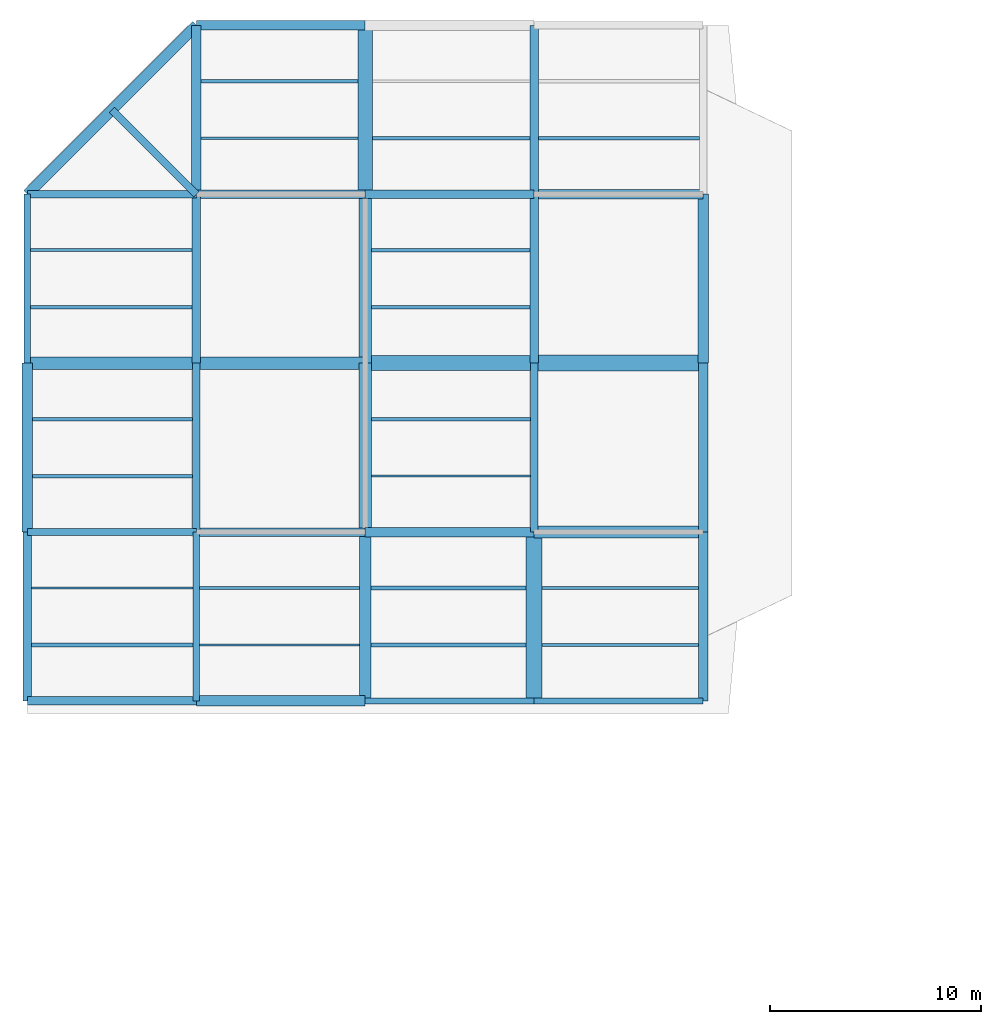
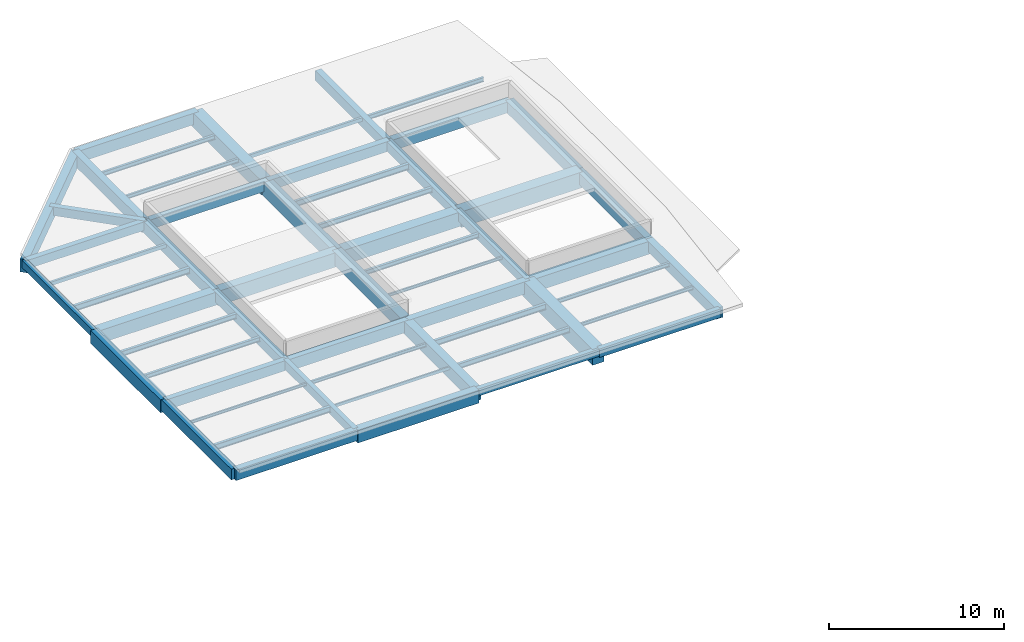
# One storey, part 10 of 20: 57 beams.
"""IFC4 building model written with IfcOpenShell, lengths in metres."""

import ifcopenshell
import ifcopenshell.guid

model = None  # the IFC model being written
_history = None  # IfcOwnerHistory: only IFC2X3 demands one
_inside = {}  # id of a spatial element -> (the spatial element, [elements in it])
_under = {}  # id of a project, library or spatial element -> (it, [spatial elements below it])
_declared = {}  # id of a project -> (the project, [libraries it declares])
_typed = {}  # id of a type object -> (the type object, [elements of that type])
_made_of = {}  # id of a material, layer set ... -> (it, [elements and type objects made of it])


def new_model(schema):
    """Start an empty IFC model of exactly this schema.

    Asked for "IFC4X3", IfcOpenShell would pick the latest addendum, in which some entities
    have other attributes; the version numbers below select the first issue.
    IFC2X3 requires an IfcOwnerHistory on every rooted entity: one is made here for all.
    """
    global model, _history
    if schema == "IFC4X3":
        model = ifcopenshell.file(schema_version=(4, 3, 0, 0))
    else:
        model = ifcopenshell.file(schema=schema)
    _inside.clear()
    _under.clear()
    _declared.clear()
    _typed.clear()
    _made_of.clear()
    _history = None
    if model.schema == "IFC2X3":
        org = make("IfcOrganization", Name="unknown")
        user = make(
            "IfcPersonAndOrganization",
            ThePerson=make("IfcPerson", FamilyName="unknown"),
            TheOrganization=org,
        )
        app = make(
            "IfcApplication",
            ApplicationDeveloper=org,
            Version="unknown",
            ApplicationFullName="unknown",
            ApplicationIdentifier="unknown",
        )
        _history = make(
            "IfcOwnerHistory",
            OwningUser=user,
            OwningApplication=app,
            ChangeAction="ADDED",
            CreationDate=0,
        )
    return model


def make(cls, **values):
    """One entity of the class cls with the attributes given. An attribute that is None is left unset."""
    return model.create_entity(
        cls, **{name: value for name, value in values.items() if value is not None}
    )


def rooted(cls, **values):
    """An entity with a GlobalId (a new one), such as an element, a storey or a relation."""
    return make(cls, GlobalId=ifcopenshell.guid.new(), OwnerHistory=_history, **values)


def si_unit(unit_type, name, prefix=None):
    """IfcSIUnit, for example si_unit("LENGTHUNIT", "METRE", prefix="MILLI")."""
    return make("IfcSIUnit", UnitType=unit_type, Prefix=prefix, Name=name)


def assignment(units):
    """IfcUnitAssignment: the units of a project."""
    return None if units is None else make("IfcUnitAssignment", Units=units)


def point(xyz):
    """IfcCartesianPoint."""
    return None if xyz is None else make("IfcCartesianPoint", Coordinates=xyz)


def direction(xyz):
    """IfcDirection."""
    return None if xyz is None else make("IfcDirection", DirectionRatios=xyz)


def frame(location, z_axis=None, x_axis=None):
    """IfcAxis2Placement3D, a coordinate frame: its origin and axes. An axis left out is left unset."""
    return make(
        "IfcAxis2Placement3D",
        Location=point(location),
        Axis=direction(z_axis),
        RefDirection=direction(x_axis),
    )


def frame_2d(location, x_axis=None):
    """IfcAxis2Placement2D, a coordinate frame in the plane: its origin and x axis."""
    return make(
        "IfcAxis2Placement2D", Location=point(location), RefDirection=direction(x_axis)
    )


def origin():
    """The frame at (0, 0, 0) with its axes left unset."""
    return frame((0.0, 0.0, 0.0))


def origin_2d():
    """The frame at (0, 0) in the plane with its x axis left unset."""
    return frame_2d((0.0, 0.0))


def place(relative_to, where):
    """IfcLocalPlacement: puts the frame where relative to a parent placement (None: the world)."""
    return make(
        "IfcLocalPlacement", PlacementRelTo=relative_to, RelativePlacement=where
    )


def context(
    kind, dimensions, precision=None, world=None, true_north=None, identifier=None
):
    """IfcGeometricRepresentationContext, for example the 3D "Model" context."""
    return make(
        "IfcGeometricRepresentationContext",
        ContextIdentifier=identifier,
        ContextType=kind,
        CoordinateSpaceDimension=dimensions,
        Precision=precision,
        WorldCoordinateSystem=world,
        TrueNorth=true_north,
    )


def subcontext(parent, identifier, kind, view, scale=None):
    """IfcGeometricRepresentationSubContext, for example "Body" below "Model"."""
    return make(
        "IfcGeometricRepresentationSubContext",
        ContextIdentifier=identifier,
        ContextType=kind,
        ParentContext=parent,
        TargetScale=scale,
        TargetView=view,
    )


def project(units=None, contexts=None):
    """IfcProject with its units and contexts."""
    return rooted(
        "IfcProject",
        Name="project",
        RepresentationContexts=contexts,
        UnitsInContext=assignment(units),
    )


def spatial(cls, under=None, at=None, **own):
    """A site, building, storey or space (cls), placed at a placement, below another one or the project."""
    s = rooted(cls, ObjectPlacement=at, **own)
    if under is not None:
        _under.setdefault(under.id(), (under, []))[1].append(s)
    return s


def profile(cls, at=None, kind="AREA", **sizes):
    """A parametric profile (cls). Its sizes go by their IFC names, for example OverallWidth=200.0."""
    return make(cls, ProfileType=kind, Position=at, **sizes)


def rectangle(**sizes):
    """IfcRectangleProfileDef."""
    return profile("IfcRectangleProfileDef", **sizes)


def hollow_rectangle(**sizes):
    """IfcRectangleHollowProfileDef."""
    return profile("IfcRectangleHollowProfileDef", **sizes)


def i_section(**sizes):
    """IfcIShapeProfileDef."""
    return profile("IfcIShapeProfileDef", **sizes)


def extrude(swept, where, along, depth):
    """IfcExtrudedAreaSolid: the profile swept, set in the frame where, extruded along a direction by depth."""
    return make(
        "IfcExtrudedAreaSolid",
        SweptArea=swept,
        Position=where,
        ExtrudedDirection=direction(along),
        Depth=depth,
    )


def shape(context_of_items, identifier, shape_type, items):
    """IfcShapeRepresentation: the items that make up one representation, for example the "Body"."""
    return make(
        "IfcShapeRepresentation",
        ContextOfItems=context_of_items,
        RepresentationIdentifier=identifier,
        RepresentationType=shape_type,
        Items=items,
    )


def material(Name=None, Category=None):
    """IfcMaterial."""
    return make("IfcMaterial", Name=Name, Category=Category)


def material_profile(
    of_material, cross_section, Name=None, Category=None, Priority=None
):
    """IfcMaterialProfile: a cross section and its material."""
    return make(
        "IfcMaterialProfile",
        Name=Name,
        Material=of_material,
        Profile=cross_section,
        Priority=Priority,
        Category=Category,
    )


def profile_set(profiles, Name=None, composite=None):
    """IfcMaterialProfileSet."""
    return make(
        "IfcMaterialProfileSet",
        Name=Name,
        MaterialProfiles=profiles,
        CompositeProfile=composite,
    )


def made_of(thing, what):
    """Note that an element or type object is made of a material, layer set ...; save() writes the relation."""
    if what is not None:
        _made_of.setdefault(what.id(), (what, []))[1].append(thing)
    return thing


def type_object(cls, material=None, **own):
    """A type object (cls), such as IfcWallType, which elements share."""
    return made_of(rooted(cls, **own), material)


def element(
    cls,
    number,
    at=None,
    inside=None,
    cuts=None,
    type_object=None,
    material=None,
    context=None,
    identifier="Body",
    shape_type=None,
    held_by="IfcProductDefinitionShape",
    body=None,
    shapes=None,
    **own,
):
    """One element of the class cls, such as IfcWall. Its Tag is "e" and its number.

    at: its placement. inside: the storey or other place that contains it. cuts: it is an
    opening in that element (IfcRelVoidsElement). A single representation is given by context,
    identifier, shape_type and body (its items); several are given by shapes. held_by: the class
    of the entity that holds the representations. save() writes the other relations.
    """
    e = rooted(cls, Tag="e%d" % number, ObjectPlacement=at, **own)
    if body is not None:
        shapes = [shape(context, identifier, shape_type, body)]
    if shapes is not None:
        e.Representation = make(held_by, Representations=shapes)
    if inside is not None:
        _inside.setdefault(inside.id(), (inside, []))[1].append(e)
    if cuts is not None:
        rooted(
            "IfcRelVoidsElement", RelatingBuildingElement=cuts, RelatedOpeningElement=e
        )
    if type_object is not None:
        _typed.setdefault(type_object.id(), (type_object, []))[1].append(e)
    return made_of(e, material)


def aggregate(whole, parts):
    """IfcRelAggregates: a whole, such as a stair, and the parts it consists of."""
    return rooted("IfcRelAggregates", RelatingObject=whole, RelatedObjects=parts)


def save(model, path):
    """Write the relations noted so far, then the file.

    IfcRelAggregates (storeys below a building ...), IfcRelContainedInSpatialStructure (elements
    in a storey), IfcRelDefinesByType, IfcRelAssociatesMaterial and IfcRelDeclares: one each for
    every whole, place, type object, material and project.
    """
    for whole, parts in _under.values():
        aggregate(whole, parts)
    for where, things in _inside.values():
        rooted(
            "IfcRelContainedInSpatialStructure",
            RelatedElements=things,
            RelatingStructure=where,
        )
    for kind, things in _typed.values():
        rooted("IfcRelDefinesByType", RelatedObjects=things, RelatingType=kind)
    for what, things in _made_of.values():
        rooted("IfcRelAssociatesMaterial", RelatedObjects=things, RelatingMaterial=what)
    for by, libraries in _declared.values():
        rooted("IfcRelDeclares", RelatingContext=by, RelatedDefinitions=libraries)
    model.write(path)


model = new_model("IFC4")

# Units and contexts
model_context = context("Model", 3, precision=1e-05, world=origin(), true_north=direction((0.0, 1.0)))
body_context = subcontext(model_context, "Body", "Model", "MODEL_VIEW")
ifc_project = project(units=[si_unit("LENGTHUNIT", "METRE"), si_unit("AREAUNIT", "SQUARE_METRE"), si_unit("VOLUMEUNIT", "CUBIC_METRE"), si_unit("PLANEANGLEUNIT", "RADIAN"), si_unit("MASSUNIT", "GRAM", prefix="KILO")], contexts=[model_context])

# Site, building, storey
site_placement = place(None, origin())
site = spatial("IfcSite", under=ifc_project, at=site_placement, CompositionType="ELEMENT")
building_placement = place(site_placement, origin())
building = spatial("IfcBuilding", under=site, at=building_placement, Name="Tenunan Teduh Sports Hall", CompositionType="ELEMENT")
storey_placement = place(building_placement, frame((0.0, 0.0, 23.39990234375)))
storey = spatial("IfcBuildingStorey", under=building, at=storey_placement, Name="RF", CompositionType="ELEMENT", Elevation=23.39990234375)

# Beams
ifc_material_1 = material(Name="Concrete C40/50", Category="concrete")
ifc_material_profile_1 = material_profile(ifc_material_1, rectangle(XDim=0.300048828125, YDim=0.5, at=origin_2d()), Name="RCB 300x500")
ifc_profile_set_1 = profile_set([ifc_material_profile_1], Name="Concrete C40/50")
beam_type_1 = type_object("IfcBeamType", Name="BM-RC-300x500", PredefinedType="BEAM", material=ifc_profile_set_1)
for number, where, z_axis, x_axis, name in (
    (1, (22.0, 86.0, -0.47998046875), (1.0, 0.0, 0.0), (0.0, 1.0, 0.0), "BM-B-01-RF-2164"),
    (2, (6.0, 102.0, -0.47998046875), (0.0, 1.0, 0.0), (-1.0, 0.0, 0.0), "BM-B-01-RF-2183"),
):
    element("IfcBeam", number, at=place(storey_placement, frame(where, z_axis=z_axis, x_axis=x_axis)), inside=storey, type_object=beam_type_1, Name=name, PredefinedType="BEAM", context=body_context, shape_type="SweptSolid", body=[
        extrude(rectangle(XDim=0.300048828125, YDim=0.5, at=origin_2d()), origin(), (0.0, 0.0, 1.0), 8.0),
    ])
ifc_material_2 = material(Name="Concrete C40/50", Category="concrete")
ifc_material_profile_2 = material_profile(ifc_material_2, rectangle(XDim=0.300048828125, YDim=0.60009765625, at=origin_2d()), Name="RCB 300x600")
ifc_profile_set_2 = profile_set([ifc_material_profile_2], Name="Concrete C40/50")
beam_type_2 = type_object("IfcBeamType", Name="BM-RC-300x600", PredefinedType="BEAM", material=ifc_profile_set_2)
for number, where, z_axis, x_axis, name in (
    (3, (30.0, 86.0, -0.52978515625), (1.0, 0.0, 0.0), (0.0, 1.0, 0.0), "BM-B-03-RF-2165"),
    (4, (14.0, 86.0, -0.52978515625), (0.0, 1.0, 0.0), (-1.0, 0.0, 0.0), "BM-B-03-RF-2184"),
):
    element("IfcBeam", number, at=place(storey_placement, frame(where, z_axis=z_axis, x_axis=x_axis)), inside=storey, type_object=beam_type_2, Name=name, PredefinedType="BEAM", context=body_context, shape_type="SweptSolid", body=[
        extrude(rectangle(XDim=0.300048828125, YDim=0.60009765625, at=origin_2d()), origin(), (0.0, 0.0, 1.0), 8.0),
    ])
ifc_material_3 = material(Name="Concrete C40/50", Category="concrete")
ifc_material_profile_3 = material_profile(ifc_material_3, rectangle(XDim=0.35009765625, YDim=0.60009765625, at=origin_2d()), Name="RCB 350x600")
ifc_profile_set_3 = profile_set([ifc_material_profile_3], Name="Concrete C40/50")
beam_type_3 = type_object("IfcBeamType", Name="BM-RC-350x600", PredefinedType="BEAM", material=ifc_profile_set_3)
for number, where, z_axis, x_axis, name in (
    (5, (6.0, 110.0, -0.52978515625), (1.0, 0.0, 0.0), (0.0, 1.0, 0.0), "BM-B-04-RF-2174"),
    (6, (30.0, 94.0, -0.52978515625), (0.0, 1.0, 0.0), (-1.0, 0.0, 0.0), "BM-B-04-RF-2193"),
):
    element("IfcBeam", number, at=place(storey_placement, frame(where, z_axis=z_axis, x_axis=x_axis)), inside=storey, type_object=beam_type_3, Name=name, PredefinedType="BEAM", context=body_context, shape_type="SweptSolid", body=[
        extrude(rectangle(XDim=0.35009765625, YDim=0.60009765625, at=origin_2d()), origin(), (0.0, 0.0, 1.0), 8.0),
    ])
beam_1_placement = place(storey_placement, frame((14.0, 110.0, -0.52978515625), z_axis=(-0.707106781187, 0.707106781187, 0.0), x_axis=(-0.707106781187, -0.707106781187, 0.0)))
element("IfcBeam", 7, at=beam_1_placement, inside=storey, type_object=beam_type_3, Name="BM-B-04-RF-2227", PredefinedType="BEAM", context=body_context, shape_type="SweptSolid", body=[
    extrude(rectangle(XDim=0.35009765625, YDim=0.60009765625, at=origin_2d()), origin(), (0.0, 0.0, 1.0), 5.65673828125),
])
ifc_material_4 = material(Name="Concrete C40/50", Category="concrete")
ifc_material_profile_4 = material_profile(ifc_material_4, rectangle(XDim=0.35009765625, YDim=0.699951171875, at=origin_2d()), Name="RCB 350x700")
ifc_profile_set_4 = profile_set([ifc_material_profile_4], Name="Concrete C40/50")
beam_type_4 = type_object("IfcBeamType", Name="BM-RC-350x700", PredefinedType="BEAM", material=ifc_profile_set_4)
for number, where, z_axis, x_axis, name in (
    (8, (6.0, 94.0, -0.579833984375), (1.0, 0.0, 0.0), (0.0, 1.0, 0.0), "BM-B-06-RF-2166"),
    (9, (14.0, 94.0, -0.579833984375), (0.0, 1.0, 0.0), (-1.0, 0.0, 0.0), "BM-B-06-RF-2185"),
):
    element("IfcBeam", number, at=place(storey_placement, frame(where, z_axis=z_axis, x_axis=x_axis)), inside=storey, type_object=beam_type_4, Name=name, PredefinedType="BEAM", context=body_context, shape_type="SweptSolid", body=[
        extrude(rectangle(XDim=0.35009765625, YDim=0.699951171875, at=origin_2d()), origin(), (0.0, 0.0, 1.0), 8.0),
    ])
ifc_material_5 = material(Name="Concrete C40/50", Category="concrete")
ifc_material_profile_5 = material_profile(ifc_material_5, rectangle(XDim=0.39990234375, YDim=0.64990234375, at=origin_2d()), Name="RCB 400x650")
ifc_profile_set_5 = profile_set([ifc_material_profile_5], Name="Concrete C40/50")
beam_type_5 = type_object("IfcBeamType", Name="BM-RC-400x650", PredefinedType="BEAM", material=ifc_profile_set_5)
for number, where, z_axis, x_axis, name in (
    (10, (14.0, 110.0, -0.554931640625), (1.0, 0.0, 0.0), (0.0, 1.0, 0.0), "BM-B-07-RF-2175"),
    (11, (30.0, 102.0, -0.554931640625), (0.0, 1.0, 0.0), (-1.0, 0.0, 0.0), "BM-B-07-RF-2194"),
):
    element("IfcBeam", number, at=place(storey_placement, frame(where, z_axis=z_axis, x_axis=x_axis)), inside=storey, type_object=beam_type_5, Name=name, PredefinedType="BEAM", context=body_context, shape_type="SweptSolid", body=[
        extrude(rectangle(XDim=0.39990234375, YDim=0.64990234375, at=origin_2d()), origin(), (0.0, 0.0, 1.0), 8.0),
    ])
ifc_material_6 = material(Name="Concrete C40/50", Category="concrete")
ifc_material_profile_6 = material_profile(ifc_material_6, rectangle(XDim=0.39990234375, YDim=0.699951171875, at=origin_2d()), Name="RCB 400x700")
ifc_profile_set_6 = profile_set([ifc_material_profile_6], Name="Concrete C40/50")
beam_type_6 = type_object("IfcBeamType", Name="BM-RC-400x700", PredefinedType="BEAM", material=ifc_profile_set_6)
for number, where, z_axis, x_axis, name in (
    (12, (22.0, 110.0, -0.579833984375), (1.0, 0.0, 0.0), (0.0, 1.0, 0.0), "BM-B-08-RF-2176"),
    (13, (30.0, 110.0, -0.579833984375), (0.0, 1.0, 0.0), (-1.0, 0.0, 0.0), "BM-B-08-RF-2195"),
):
    element("IfcBeam", number, at=place(storey_placement, frame(where, z_axis=z_axis, x_axis=x_axis)), inside=storey, type_object=beam_type_6, Name=name, PredefinedType="BEAM", context=body_context, shape_type="SweptSolid", body=[
        extrude(rectangle(XDim=0.39990234375, YDim=0.699951171875, at=origin_2d()), origin(), (0.0, 0.0, 1.0), 8.0),
    ])
ifc_material_7 = material(Name="Concrete C40/50", Category="concrete")
ifc_material_profile_7 = material_profile(ifc_material_7, rectangle(XDim=0.39990234375, YDim=0.75, at=origin_2d()), Name="RCB 400x750")
ifc_profile_set_7 = profile_set([ifc_material_profile_7], Name="Concrete C40/50")
beam_type_7 = type_object("IfcBeamType", Name="BM-RC-400x750", PredefinedType="BEAM", material=ifc_profile_set_7)
for number, where, z_axis, x_axis, name in (
    (14, (6.0, 86.0, -0.60498046875), (1.0, 0.0, 0.0), (0.0, 1.0, 0.0), "BM-B-09-RF-2162"),
    (15, (6.0, 86.0, -0.60498046875), (0.0, 1.0, 0.0), (-1.0, 0.0, 0.0), "BM-B-09-RF-2181"),
):
    element("IfcBeam", number, at=place(storey_placement, frame(where, z_axis=z_axis, x_axis=x_axis)), inside=storey, type_object=beam_type_7, Name=name, PredefinedType="BEAM", context=body_context, shape_type="SweptSolid", body=[
        extrude(rectangle(XDim=0.39990234375, YDim=0.75, at=origin_2d()), origin(), (0.0, 0.0, 1.0), 8.0),
    ])
ifc_material_8 = material(Name="Concrete C40/50", Category="concrete")
ifc_material_profile_8 = material_profile(ifc_material_8, rectangle(XDim=0.39990234375, YDim=0.800048828125, at=origin_2d()), Name="RCB 400x800")
ifc_profile_set_8 = profile_set([ifc_material_profile_8], Name="Concrete C40/50")
beam_type_8 = type_object("IfcBeamType", Name="BM-RC-400x800", PredefinedType="BEAM", material=ifc_profile_set_8)
for number, where, z_axis, x_axis, name in (
    (16, (14.0, 94.0, -0.6298828125), (1.0, 0.0, 0.0), (0.0, 1.0, 0.0), "BM-B-10-RF-2167"),
    (17, (14.0, 102.0, -0.6298828125), (0.0, 1.0, 0.0), (-1.0, 0.0, 0.0), "BM-B-10-RF-2186"),
):
    element("IfcBeam", number, at=place(storey_placement, frame(where, z_axis=z_axis, x_axis=x_axis)), inside=storey, type_object=beam_type_8, Name=name, PredefinedType="BEAM", context=body_context, shape_type="SweptSolid", body=[
        extrude(rectangle(XDim=0.39990234375, YDim=0.800048828125, at=origin_2d()), origin(), (0.0, 0.0, 1.0), 8.0),
    ])
ifc_material_9 = material(Name="Concrete C40/50", Category="concrete")
ifc_material_profile_9 = material_profile(ifc_material_9, rectangle(XDim=0.449951171875, YDim=0.75, at=origin_2d()), Name="RCB 450x750")
ifc_profile_set_9 = profile_set([ifc_material_profile_9], Name="Concrete C40/50")
beam_type_9 = type_object("IfcBeamType", Name="BM-RC-450x750", PredefinedType="BEAM", material=ifc_profile_set_9)
for number, where, z_axis, x_axis, name in (
    (18, (30.0, 110.0, -0.60498046875), (1.0, 0.0, 0.0), (0.0, 1.0, 0.0), "BM-B-11-RF-2177"),
    (19, (38.0, 86.0, -0.60498046875), (0.0, 1.0, 0.0), (-1.0, 0.0, 0.0), "BM-B-11-RF-2196"),
):
    element("IfcBeam", number, at=place(storey_placement, frame(where, z_axis=z_axis, x_axis=x_axis)), inside=storey, type_object=beam_type_9, Name=name, PredefinedType="BEAM", context=body_context, shape_type="SweptSolid", body=[
        extrude(rectangle(XDim=0.449951171875, YDim=0.75, at=origin_2d()), origin(), (0.0, 0.0, 1.0), 8.0),
    ])
ifc_material_10 = material(Name="Concrete C40/50", Category="concrete")
ifc_material_profile_10 = material_profile(ifc_material_10, rectangle(XDim=0.449951171875, YDim=0.800048828125, at=origin_2d()), Name="RCB 450x800")
ifc_profile_set_10 = profile_set([ifc_material_profile_10], Name="Concrete C40/50")
beam_type_10 = type_object("IfcBeamType", Name="BM-RC-450x800", PredefinedType="BEAM", material=ifc_profile_set_10)
for number, where, z_axis, x_axis, name in (
    (20, (14.0, 118.0, -0.6298828125), (1.0, 0.0, 0.0), (0.0, 1.0, 0.0), "BM-B-12-RF-2178"),
    (21, (38.0, 94.0, -0.6298828125), (0.0, 1.0, 0.0), (-1.0, 0.0, 0.0), "BM-B-12-RF-2197"),
):
    element("IfcBeam", number, at=place(storey_placement, frame(where, z_axis=z_axis, x_axis=x_axis)), inside=storey, type_object=beam_type_10, Name=name, PredefinedType="BEAM", context=body_context, shape_type="SweptSolid", body=[
        extrude(rectangle(XDim=0.449951171875, YDim=0.800048828125, at=origin_2d()), origin(), (0.0, 0.0, 1.0), 8.0),
    ])
ifc_material_11 = material(Name="Concrete C40/50", Category="concrete")
ifc_material_profile_11 = material_profile(ifc_material_11, rectangle(XDim=0.449951171875, YDim=0.85009765625, at=origin_2d()), Name="RCB 450x850")
ifc_profile_set_11 = profile_set([ifc_material_profile_11], Name="Concrete C40/50")
beam_type_11 = type_object("IfcBeamType", Name="BM-RC-450x850", PredefinedType="BEAM", material=ifc_profile_set_11)
for number, where, z_axis, x_axis, name in (
    (22, (22.0, 94.0, -0.65478515625), (1.0, 0.0, 0.0), (0.0, 1.0, 0.0), "BM-B-13-RF-2168"),
    (23, (14.0, 110.0, -0.65478515625), (0.0, 1.0, 0.0), (-1.0, 0.0, 0.0), "BM-B-13-RF-2187"),
):
    element("IfcBeam", number, at=place(storey_placement, frame(where, z_axis=z_axis, x_axis=x_axis)), inside=storey, type_object=beam_type_11, Name=name, PredefinedType="BEAM", context=body_context, shape_type="SweptSolid", body=[
        extrude(rectangle(XDim=0.449951171875, YDim=0.85009765625, at=origin_2d()), origin(), (0.0, 0.0, 1.0), 8.0),
    ])
ifc_material_12 = material(Name="Concrete C40/50", Category="concrete")
ifc_material_profile_12 = material_profile(ifc_material_12, rectangle(XDim=0.5, YDim=0.800048828125, at=origin_2d()), Name="RCB 500x800")
ifc_profile_set_12 = profile_set([ifc_material_profile_12], Name="Concrete C40/50")
beam_type_12 = type_object("IfcBeamType", Name="BM-RC-500x800", PredefinedType="BEAM", material=ifc_profile_set_12)
beam_2_placement = place(storey_placement, frame((38.0, 102.0, -0.6298828125), z_axis=(0.0, 1.0, 0.0), x_axis=(-1.0, 0.0, 0.0)))
element("IfcBeam", 24, at=beam_2_placement, inside=storey, type_object=beam_type_12, Name="BM-B-14-RF-2198", PredefinedType="BEAM", context=body_context, shape_type="SweptSolid", body=[
    extrude(rectangle(XDim=0.5, YDim=0.800048828125, at=origin_2d()), origin(), (0.0, 0.0, 1.0), 8.0),
])
ifc_material_13 = material(Name="Concrete C40/50", Category="concrete")
ifc_material_profile_13 = material_profile(ifc_material_13, rectangle(XDim=0.5, YDim=0.89990234375, at=origin_2d()), Name="RCB 500x900")
ifc_profile_set_13 = profile_set([ifc_material_profile_13], Name="Concrete C40/50")
beam_type_13 = type_object("IfcBeamType", Name="BM-RC-500x900", PredefinedType="BEAM", material=ifc_profile_set_13)
beam_3_placement = place(storey_placement, frame((6.0, 110.0, -0.679931640625), z_axis=(0.707106781187, 0.707106781187, 0.0), x_axis=(-0.707106781187, 0.707106781187, 0.0)))
element("IfcBeam", 25, at=beam_3_placement, inside=storey, type_object=beam_type_13, Name="BM-B-15-RF-0592", PredefinedType="BEAM", context=body_context, shape_type="SweptSolid", body=[
    extrude(rectangle(XDim=0.5, YDim=0.89990234375, at=origin_2d()), origin(), (0.0, 0.0, 1.0), 11.313720703125),
])
for number, where, z_axis, x_axis, name in (
    (26, (14.0, 86.0, -0.679931640625), (1.0, 0.0, 0.0), (0.0, 1.0, 0.0), "BM-B-15-RF-2163"),
    (27, (6.0, 94.0, -0.679931640625), (0.0, 1.0, 0.0), (-1.0, 0.0, 0.0), "BM-B-15-RF-2182"),
):
    element("IfcBeam", number, at=place(storey_placement, frame(where, z_axis=z_axis, x_axis=x_axis)), inside=storey, type_object=beam_type_13, Name=name, PredefinedType="BEAM", context=body_context, shape_type="SweptSolid", body=[
        extrude(rectangle(XDim=0.5, YDim=0.89990234375, at=origin_2d()), origin(), (0.0, 0.0, 1.0), 8.0),
    ])
ifc_material_14 = material(Name="Concrete C40/50", Category="concrete")
ifc_material_profile_14 = material_profile(ifc_material_14, rectangle(XDim=0.550048828125, YDim=0.89990234375, at=origin_2d()), Name="RCB 550x900")
ifc_profile_set_14 = profile_set([ifc_material_profile_14], Name="Concrete C40/50")
beam_type_14 = type_object("IfcBeamType", Name="BM-RC-550x900", PredefinedType="BEAM", material=ifc_profile_set_14)
for number, where, z_axis, x_axis, name in (
    (28, (30.0, 94.0, -0.679931640625), (1.0, 0.0, 0.0), (0.0, 1.0, 0.0), "BM-B-16-RF-2169"),
    (29, (22.0, 86.0, -0.679931640625), (0.0, 1.0, 0.0), (-1.0, 0.0, 0.0), "BM-B-16-RF-2188"),
):
    element("IfcBeam", number, at=place(storey_placement, frame(where, z_axis=z_axis, x_axis=x_axis)), inside=storey, type_object=beam_type_14, Name=name, PredefinedType="BEAM", context=body_context, shape_type="SweptSolid", body=[
        extrude(rectangle(XDim=0.550048828125, YDim=0.89990234375, at=origin_2d()), origin(), (0.0, 0.0, 1.0), 8.0),
    ])
ifc_material_15 = material(Name="Concrete C40/50", Category="concrete")
ifc_material_profile_15 = material_profile(ifc_material_15, rectangle(XDim=0.60009765625, YDim=1.0, at=origin_2d()), Name="RCB 600x1000")
ifc_profile_set_15 = profile_set([ifc_material_profile_15], Name="Concrete C40/50")
beam_type_15 = type_object("IfcBeamType", Name="BM-RC-600x1000", PredefinedType="BEAM", material=ifc_profile_set_15)
for number, where, z_axis, x_axis, name in (
    (30, (14.0, 102.0, -0.72998046875), (1.0, 0.0, 0.0), (0.0, 1.0, 0.0), "BM-B-18-RF-2171"),
    (31, (22.0, 102.0, -0.72998046875), (0.0, 1.0, 0.0), (-1.0, 0.0, 0.0), "BM-B-18-RF-2190"),
):
    element("IfcBeam", number, at=place(storey_placement, frame(where, z_axis=z_axis, x_axis=x_axis)), inside=storey, type_object=beam_type_15, Name=name, PredefinedType="BEAM", context=body_context, shape_type="SweptSolid", body=[
        extrude(rectangle(XDim=0.60009765625, YDim=1.0, at=origin_2d()), origin(), (0.0, 0.0, 1.0), 8.0),
    ])
ifc_material_16 = material(Name="Concrete C40/50", Category="concrete")
ifc_material_profile_16 = material_profile(ifc_material_16, rectangle(XDim=0.60009765625, YDim=0.89990234375, at=origin_2d()), Name="RCB 600x900")
ifc_profile_set_16 = profile_set([ifc_material_profile_16], Name="Concrete C40/50")
beam_type_16 = type_object("IfcBeamType", Name="BM-RC-600x900", PredefinedType="BEAM", material=ifc_profile_set_16)
for number, where, z_axis, x_axis, name in (
    (32, (6.0, 102.0, -0.679931640625), (1.0, 0.0, 0.0), (0.0, 1.0, 0.0), "BM-B-17-RF-2170"),
    (33, (22.0, 94.0, -0.679931640625), (0.0, 1.0, 0.0), (-1.0, 0.0, 0.0), "BM-B-17-RF-2189"),
):
    element("IfcBeam", number, at=place(storey_placement, frame(where, z_axis=z_axis, x_axis=x_axis)), inside=storey, type_object=beam_type_16, Name=name, PredefinedType="BEAM", context=body_context, shape_type="SweptSolid", body=[
        extrude(rectangle(XDim=0.60009765625, YDim=0.89990234375, at=origin_2d()), origin(), (0.0, 0.0, 1.0), 8.0),
    ])
ifc_material_17 = material(Name="Concrete C40/50", Category="concrete")
ifc_material_profile_17 = material_profile(ifc_material_17, rectangle(XDim=0.699951171875, YDim=1.0, at=origin_2d()), Name="RCB 700x1000")
ifc_profile_set_17 = profile_set([ifc_material_profile_17], Name="Concrete C40/50")
beam_type_17 = type_object("IfcBeamType", Name="BM-RC-700x1000", PredefinedType="SPANDREL", material=ifc_profile_set_17)
for number, where, z_axis, x_axis, name in (
    (34, (22.0, 102.0, -0.72998046875), (1.0, 0.0, 0.0), (0.0, 1.0, 0.0), "BM-B-19-RF-2172"),
    (35, (22.0, 110.0, -0.72998046875), (0.0, 1.0, 0.0), (-1.0, 0.0, 0.0), "BM-B-19-RF-2191"),
):
    element("IfcBeam", number, at=place(storey_placement, frame(where, z_axis=z_axis, x_axis=x_axis)), inside=storey, type_object=beam_type_17, Name=name, PredefinedType="SPANDREL", context=body_context, shape_type="SweptSolid", body=[
        extrude(rectangle(XDim=0.699951171875, YDim=1.0, at=origin_2d()), origin(), (0.0, 0.0, 1.0), 8.0),
    ])
ifc_material_18 = material(Name="Concrete C40/50", Category="concrete")
ifc_material_profile_18 = material_profile(ifc_material_18, rectangle(XDim=0.75, YDim=1.10009765625, at=origin_2d()), Name="RCB 750x1100")
ifc_profile_set_18 = profile_set([ifc_material_profile_18], Name="Concrete C40/50")
beam_type_18 = type_object("IfcBeamType", Name="BM-RC-750x1100", PredefinedType="SPANDREL", material=ifc_profile_set_18)
for number, where, z_axis, x_axis, name in (
    (36, (30.0, 102.0, -0.77978515625), (1.0, 0.0, 0.0), (0.0, 1.0, 0.0), "BM-B-20-RF-2173"),
    (37, (30.0, 86.0, -0.77978515625), (0.0, 1.0, 0.0), (-1.0, 0.0, 0.0), "BM-B-20-RF-2192"),
):
    element("IfcBeam", number, at=place(storey_placement, frame(where, z_axis=z_axis, x_axis=x_axis)), inside=storey, type_object=beam_type_18, Name=name, PredefinedType="SPANDREL", context=body_context, shape_type="SweptSolid", body=[
        extrude(rectangle(XDim=0.75, YDim=1.10009765625, at=origin_2d()), origin(), (0.0, 0.0, 1.0), 8.0),
    ])
ifc_material_19 = material(Name="Steel S355", Category="steel")
ifc_material_profile_19 = material_profile(ifc_material_19, i_section(OverallWidth=0.10009765625, OverallDepth=0.199951171875, WebThickness=0.005615234375, FlangeThickness=0.008544921875, FilletRadius=0.011962890625, at=origin_2d()), Name="IPE 200")
ifc_profile_set_19 = profile_set([ifc_material_profile_19], Name="Steel S355")
beam_type_19 = type_object("IfcBeamType", Name="JST-IPE200", PredefinedType="JOIST", material=ifc_profile_set_19)
beam_4_placement = place(storey_placement, frame((6.199951171875, 91.35009765625, -0.329833984375), z_axis=(1.0, 0.0, 0.0), x_axis=(0.0, 1.0, 0.0)))
element("IfcBeam", 38, at=beam_4_placement, inside=storey, type_object=beam_type_19, Name="BM-J-01-RF-2201", PredefinedType="JOIST", context=body_context, shape_type="SweptSolid", body=[
    extrude(i_section(OverallWidth=0.10009765625, OverallDepth=0.199951171875, WebThickness=0.005615234375, FlangeThickness=0.008544921875, FilletRadius=0.011962890625, at=origin_2d()), origin(), (0.0, 0.0, 1.0), 7.650146484375),
])
beam_5_placement = place(storey_placement, frame((22.300048828125, 96.64990234375, -0.329833984375), z_axis=(1.0, 0.0, 0.0), x_axis=(0.0, 1.0, 0.0)))
element("IfcBeam", 39, at=beam_5_placement, inside=storey, type_object=beam_type_19, Name="BM-J-01-RF-2212", PredefinedType="JOIST", context=body_context, shape_type="SweptSolid", body=[
    extrude(i_section(OverallWidth=0.10009765625, OverallDepth=0.199951171875, WebThickness=0.005615234375, FlangeThickness=0.008544921875, FilletRadius=0.011962890625, at=origin_2d()), origin(), (0.0, 0.0, 1.0), 7.52490234375),
])
ifc_material_20 = material(Name="Steel S355", Category="steel")
ifc_material_profile_20 = material_profile(ifc_material_20, i_section(OverallWidth=0.1201171875, OverallDepth=0.239990234375, WebThickness=0.006103515625, FlangeThickness=0.009765625, FilletRadius=0.014892578125, at=origin_2d()), Name="IPE 240")
ifc_profile_set_20 = profile_set([ifc_material_profile_20], Name="Steel S355")
beam_type_20 = type_object("IfcBeamType", Name="JST-IPE240", PredefinedType="JOIST", material=ifc_profile_set_20)
beam_6_placement = place(storey_placement, frame((14.14990234375, 91.35009765625, -0.349853515625), z_axis=(1.0, 0.0, 0.0), x_axis=(0.0, 1.0, 0.0)))
element("IfcBeam", 40, at=beam_6_placement, inside=storey, type_object=beam_type_20, Name="BM-J-02-RF-2207", PredefinedType="JOIST", context=body_context, shape_type="SweptSolid", body=[
    extrude(i_section(OverallWidth=0.1201171875, OverallDepth=0.239990234375, WebThickness=0.006103515625, FlangeThickness=0.009765625, FilletRadius=0.014892578125, at=origin_2d()), origin(), (0.0, 0.0, 1.0), 7.5751953125),
])
beam_7_placement = place(storey_placement, frame((30.375, 88.64990234375, -0.349853515625), z_axis=(1.0, 0.0, 0.0), x_axis=(0.0, 1.0, 0.0)))
element("IfcBeam", 41, at=beam_7_placement, inside=storey, type_object=beam_type_20, Name="BM-J-02-RF-2218", PredefinedType="JOIST", context=body_context, shape_type="SweptSolid", body=[
    extrude(i_section(OverallWidth=0.1201171875, OverallDepth=0.239990234375, WebThickness=0.006103515625, FlangeThickness=0.009765625, FilletRadius=0.014892578125, at=origin_2d()), origin(), (0.0, 0.0, 1.0), 7.39990234375),
])
ifc_material_21 = material(Name="Steel S355", Category="steel")
ifc_material_profile_21 = material_profile(ifc_material_21, i_section(OverallWidth=0.135009765625, OverallDepth=0.27001953125, WebThickness=0.006591796875, FlangeThickness=0.01025390625, FilletRadius=0.014892578125, at=origin_2d()), Name="IPE 270")
ifc_profile_set_21 = profile_set([ifc_material_profile_21], Name="Steel S355")
beam_type_21 = type_object("IfcBeamType", Name="JST-IPE270", PredefinedType="JOIST", material=ifc_profile_set_21)
beam_8_placement = place(storey_placement, frame((14.22509765625, 112.64990234375, -0.364990234375), z_axis=(1.0, 0.0, 0.0), x_axis=(0.0, 1.0, 0.0)))
element("IfcBeam", 42, at=beam_8_placement, inside=storey, type_object=beam_type_21, Name="BM-J-03-RF-2208", PredefinedType="JOIST", context=body_context, shape_type="SweptSolid", body=[
    extrude(i_section(OverallWidth=0.135009765625, OverallDepth=0.27001953125, WebThickness=0.006591796875, FlangeThickness=0.01025390625, FilletRadius=0.014892578125, at=origin_2d()), origin(), (0.0, 0.0, 1.0), 7.4248046875),
])
beam_9_placement = place(storey_placement, frame((30.375, 91.35009765625, -0.364990234375), z_axis=(1.0, 0.0, 0.0), x_axis=(0.0, 1.0, 0.0)))
element("IfcBeam", 43, at=beam_9_placement, inside=storey, type_object=beam_type_21, Name="BM-J-03-RF-2219", PredefinedType="JOIST", context=body_context, shape_type="SweptSolid", body=[
    extrude(i_section(OverallWidth=0.135009765625, OverallDepth=0.27001953125, WebThickness=0.006591796875, FlangeThickness=0.01025390625, FilletRadius=0.014892578125, at=origin_2d()), origin(), (0.0, 0.0, 1.0), 7.39990234375),
])
ifc_material_22 = material(Name="Steel S355", Category="steel")
ifc_material_profile_22 = material_profile(ifc_material_22, i_section(OverallWidth=0.14990234375, OverallDepth=0.300048828125, WebThickness=0.007080078125, FlangeThickness=0.0107421875, FilletRadius=0.014892578125, at=origin_2d()), Name="IPE 300")
ifc_profile_set_22 = profile_set([ifc_material_profile_22], Name="Steel S355")
beam_type_22 = type_object("IfcBeamType", Name="JST-IPE300", PredefinedType="JOIST", material=ifc_profile_set_22)
beam_10_placement = place(storey_placement, frame((14.22509765625, 115.35009765625, -0.3798828125), z_axis=(1.0, 0.0, 0.0), x_axis=(0.0, 1.0, 0.0)))
element("IfcBeam", 44, at=beam_10_placement, inside=storey, type_object=beam_type_22, Name="BM-J-04-RF-2209", PredefinedType="JOIST", context=body_context, shape_type="SweptSolid", body=[
    extrude(i_section(OverallWidth=0.14990234375, OverallDepth=0.300048828125, WebThickness=0.007080078125, FlangeThickness=0.0107421875, FilletRadius=0.014892578125, at=origin_2d()), origin(), (0.0, 0.0, 1.0), 7.4248046875),
])
beam_11_placement = place(storey_placement, frame((30.199951171875, 112.64990234375, -0.3798828125), z_axis=(1.0, 0.0, 0.0), x_axis=(0.0, 1.0, 0.0)))
element("IfcBeam", 45, at=beam_11_placement, inside=storey, type_object=beam_type_22, Name="BM-J-04-RF-2220", PredefinedType="JOIST", context=body_context, shape_type="SweptSolid", body=[
    extrude(i_section(OverallWidth=0.14990234375, OverallDepth=0.300048828125, WebThickness=0.007080078125, FlangeThickness=0.0107421875, FilletRadius=0.014892578125, at=origin_2d()), origin(), (0.0, 0.0, 1.0), 7.625),
])
ifc_material_23 = material(Name="Steel S355", Category="steel")
ifc_material_profile_23 = material_profile(ifc_material_23, i_section(OverallWidth=0.169921875, OverallDepth=0.360107421875, WebThickness=0.008056640625, FlangeThickness=0.0126953125, FilletRadius=0.01806640625, at=origin_2d()), Name="IPE 360")
ifc_profile_set_23 = profile_set([ifc_material_profile_23], Name="Steel S355")
beam_type_23 = type_object("IfcBeamType", Name="JST-IPE360", PredefinedType="JOIST", material=ifc_profile_set_23)
beam_12_placement = place(storey_placement, frame((22.27490234375, 88.64990234375, -0.409912109375), z_axis=(1.0, 0.0, 0.0), x_axis=(0.0, 1.0, 0.0)))
element("IfcBeam", 46, at=beam_12_placement, inside=storey, type_object=beam_type_23, Name="BM-J-05-RF-2210", PredefinedType="JOIST", context=body_context, shape_type="SweptSolid", body=[
    extrude(i_section(OverallWidth=0.169921875, OverallDepth=0.360107421875, WebThickness=0.008056640625, FlangeThickness=0.0126953125, FilletRadius=0.01806640625, at=origin_2d()), origin(), (0.0, 0.0, 1.0), 7.35009765625),
])
ifc_material_24 = material(Name="Steel S355", Category="steel")
ifc_material_profile_24 = material_profile(ifc_material_24, i_section(OverallWidth=0.179931640625, OverallDepth=0.39990234375, WebThickness=0.008544921875, FlangeThickness=0.013427734375, FilletRadius=0.02099609375, at=origin_2d()), Name="IPE 400")
ifc_profile_set_24 = profile_set([ifc_material_profile_24], Name="Steel S355")
beam_type_24 = type_object("IfcBeamType", Name="JST-IPE400", PredefinedType="JOIST", material=ifc_profile_set_24)
beam_13_placement = place(storey_placement, frame((6.199951171875, 88.64990234375, -0.429931640625), z_axis=(1.0, 0.0, 0.0), x_axis=(0.0, 1.0, 0.0)))
element("IfcBeam", 47, at=beam_13_placement, inside=storey, type_object=beam_type_24, Name="BM-J-06-RF-2200", PredefinedType="JOIST", context=body_context, shape_type="SweptSolid", body=[
    extrude(i_section(OverallWidth=0.179931640625, OverallDepth=0.39990234375, WebThickness=0.008544921875, FlangeThickness=0.013427734375, FilletRadius=0.02099609375, at=origin_2d()), origin(), (0.0, 0.0, 1.0), 7.650146484375),
])
beam_14_placement = place(storey_placement, frame((22.27490234375, 91.35009765625, -0.429931640625), z_axis=(1.0, 0.0, 0.0), x_axis=(0.0, 1.0, 0.0)))
element("IfcBeam", 48, at=beam_14_placement, inside=storey, type_object=beam_type_24, Name="BM-J-06-RF-2211", PredefinedType="JOIST", context=body_context, shape_type="SweptSolid", body=[
    extrude(i_section(OverallWidth=0.179931640625, OverallDepth=0.39990234375, WebThickness=0.008544921875, FlangeThickness=0.013427734375, FilletRadius=0.02099609375, at=origin_2d()), origin(), (0.0, 0.0, 1.0), 7.35009765625),
])
ifc_material_25 = material(Name="Steel S355", Category="steel")
ifc_material_profile_25 = material_profile(ifc_material_25, hollow_rectangle(XDim=0.10009765625, YDim=0.199951171875, WallThickness=0.008056640625, at=origin_2d()), Name="RHS 200x100x8.0")
ifc_profile_set_25 = profile_set([ifc_material_profile_25], Name="Steel S355")
beam_type_25 = type_object("IfcBeamType", Name="RBM-RHS200", PredefinedType="JOIST", material=ifc_profile_set_25)
beam_15_placement = place(storey_placement, frame((14.14990234375, 88.64990234375, -0.329833984375), z_axis=(1.0, 0.0, 0.0), x_axis=(0.0, 1.0, 0.0)))
element("IfcBeam", 49, at=beam_15_placement, inside=storey, type_object=beam_type_25, Name="Perimeter Ring Beam BM-RB-05-RF-2206", PredefinedType="JOIST", context=body_context, shape_type="SweptSolid", body=[
    extrude(hollow_rectangle(XDim=0.10009765625, YDim=0.199951171875, WallThickness=0.008056640625, at=origin_2d()), origin(), (0.0, 0.0, 1.0), 7.5751953125),
])
ifc_material_26 = material(Name="Steel S355", Category="steel")
ifc_material_profile_26 = material_profile(ifc_material_26, hollow_rectangle(XDim=0.14990234375, YDim=0.25, WallThickness=0.010009765625, at=origin_2d()), Name="RHS 250x150x10.0")
ifc_profile_set_26 = profile_set([ifc_material_profile_26], Name="Steel S355")
beam_type_26 = type_object("IfcBeamType", Name="RBM-RHS250", PredefinedType="BEAM", material=ifc_profile_set_26)
beam_16_placement = place(storey_placement, frame((6.14990234375, 107.35009765625, -0.35498046875), z_axis=(1.0, 0.0, 0.0), x_axis=(0.0, 1.0, 0.0)))
element("IfcBeam", 50, at=beam_16_placement, inside=storey, type_object=beam_type_26, Name="Perimeter Ring Beam BM-RB-04-RF-2205", PredefinedType="BEAM", context=body_context, shape_type="SweptSolid", body=[
    extrude(hollow_rectangle(XDim=0.14990234375, YDim=0.25, WallThickness=0.010009765625, at=origin_2d()), origin(), (0.0, 0.0, 1.0), 7.650146484375),
])
beam_17_placement = place(storey_placement, frame((22.35009765625, 112.64990234375, -0.35498046875), z_axis=(1.0, 0.0, 0.0), x_axis=(0.0, 1.0, 0.0)))
element("IfcBeam", 51, at=beam_17_placement, inside=storey, type_object=beam_type_26, Name="Perimeter Ring Beam BM-RB-04-RF-2216", PredefinedType="BEAM", context=body_context, shape_type="SweptSolid", body=[
    extrude(hollow_rectangle(XDim=0.14990234375, YDim=0.25, WallThickness=0.010009765625, at=origin_2d()), origin(), (0.0, 0.0, 1.0), 7.449951171875),
])
ifc_material_27 = material(Name="Steel S355", Category="steel")
ifc_material_profile_27 = material_profile(ifc_material_27, i_section(OverallWidth=0.1650390625, OverallDepth=0.303466796875, WebThickness=0.006103515625, FlangeThickness=0.01025390625, FilletRadius=0.0087890625, at=origin_2d()), Name="UKB 305x165x40")
ifc_profile_set_27 = profile_set([ifc_material_profile_27], Name="Steel S355")
beam_type_27 = type_object("IfcBeamType", Name="SBM-UKB305", PredefinedType="BEAM", material=ifc_profile_set_27)
beam_18_placement = place(storey_placement, frame((6.25, 96.64990234375, -0.381591796875), z_axis=(1.0, 0.0, 0.0), x_axis=(0.0, 1.0, 0.0)))
element("IfcBeam", 52, at=beam_18_placement, inside=storey, type_object=beam_type_27, Name="BM-SB-01-RF-2202", PredefinedType="BEAM", context=body_context, shape_type="SweptSolid", body=[
    extrude(i_section(OverallWidth=0.1650390625, OverallDepth=0.303466796875, WebThickness=0.006103515625, FlangeThickness=0.01025390625, FilletRadius=0.0087890625, at=origin_2d()), origin(), (0.0, 0.0, 1.0), 7.574951171875),
])
beam_19_placement = place(storey_placement, frame((22.300048828125, 99.35009765625, -0.381591796875), z_axis=(1.0, 0.0, 0.0), x_axis=(0.0, 1.0, 0.0)))
element("IfcBeam", 53, at=beam_19_placement, inside=storey, type_object=beam_type_27, Name="BM-SB-01-RF-2213", PredefinedType="BEAM", context=body_context, shape_type="SweptSolid", body=[
    extrude(i_section(OverallWidth=0.1650390625, OverallDepth=0.303466796875, WebThickness=0.006103515625, FlangeThickness=0.01025390625, FilletRadius=0.0087890625, at=origin_2d()), origin(), (0.0, 0.0, 1.0), 7.52490234375),
])
ifc_material_28 = material(Name="Steel S355", Category="steel")
ifc_material_profile_28 = material_profile(ifc_material_28, i_section(OverallWidth=0.17138671875, OverallDepth=0.35498046875, WebThickness=0.00732421875, FlangeThickness=0.011474609375, FilletRadius=0.01025390625, at=origin_2d()), Name="UKB 356x171x51")
ifc_profile_set_28 = profile_set([ifc_material_profile_28], Name="Steel S355")
beam_type_28 = type_object("IfcBeamType", Name="SBM-UKB356", PredefinedType="BEAM", material=ifc_profile_set_28)
beam_20_placement = place(storey_placement, frame((6.25, 99.35009765625, -0.407470703125), z_axis=(1.0, 0.0, 0.0), x_axis=(0.0, 1.0, 0.0)))
element("IfcBeam", 54, at=beam_20_placement, inside=storey, type_object=beam_type_28, Name="BM-SB-02-RF-2203", PredefinedType="BEAM", context=body_context, shape_type="SweptSolid", body=[
    extrude(i_section(OverallWidth=0.17138671875, OverallDepth=0.35498046875, WebThickness=0.00732421875, FlangeThickness=0.011474609375, FilletRadius=0.01025390625, at=origin_2d()), origin(), (0.0, 0.0, 1.0), 7.574951171875),
])
beam_21_placement = place(storey_placement, frame((22.300048828125, 104.64990234375, -0.407470703125), z_axis=(1.0, 0.0, 0.0), x_axis=(0.0, 1.0, 0.0)))
element("IfcBeam", 55, at=beam_21_placement, inside=storey, type_object=beam_type_28, Name="BM-SB-02-RF-2214", PredefinedType="BEAM", context=body_context, shape_type="SweptSolid", body=[
    extrude(i_section(OverallWidth=0.17138671875, OverallDepth=0.35498046875, WebThickness=0.00732421875, FlangeThickness=0.011474609375, FilletRadius=0.01025390625, at=origin_2d()), origin(), (0.0, 0.0, 1.0), 7.5),
])
ifc_material_29 = material(Name="Steel S355", Category="steel")
ifc_material_profile_29 = material_profile(ifc_material_29, i_section(OverallWidth=0.177978515625, OverallDepth=0.406494140625, WebThickness=0.0078125, FlangeThickness=0.0126953125, FilletRadius=0.01025390625, at=origin_2d()), Name="UKB 406x178x60")
ifc_profile_set_29 = profile_set([ifc_material_profile_29], Name="Steel S355")
beam_type_29 = type_object("IfcBeamType", Name="SBM-UKB406", PredefinedType="BEAM", material=ifc_profile_set_29)
beam_22_placement = place(storey_placement, frame((6.14990234375, 104.64990234375, -0.43310546875), z_axis=(1.0, 0.0, 0.0), x_axis=(0.0, 1.0, 0.0)))
element("IfcBeam", 56, at=beam_22_placement, inside=storey, type_object=beam_type_29, Name="BM-SB-03-RF-2204", PredefinedType="BEAM", context=body_context, shape_type="SweptSolid", body=[
    extrude(i_section(OverallWidth=0.177978515625, OverallDepth=0.406494140625, WebThickness=0.0078125, FlangeThickness=0.0126953125, FilletRadius=0.01025390625, at=origin_2d()), origin(), (0.0, 0.0, 1.0), 7.650146484375),
])
beam_23_placement = place(storey_placement, frame((22.300048828125, 107.35009765625, -0.43310546875), z_axis=(1.0, 0.0, 0.0), x_axis=(0.0, 1.0, 0.0)))
element("IfcBeam", 57, at=beam_23_placement, inside=storey, type_object=beam_type_29, Name="BM-SB-03-RF-2215", PredefinedType="BEAM", context=body_context, shape_type="SweptSolid", body=[
    extrude(i_section(OverallWidth=0.177978515625, OverallDepth=0.406494140625, WebThickness=0.0078125, FlangeThickness=0.0126953125, FilletRadius=0.01025390625, at=origin_2d()), origin(), (0.0, 0.0, 1.0), 7.5),
])

save(model, "model.ifc")
